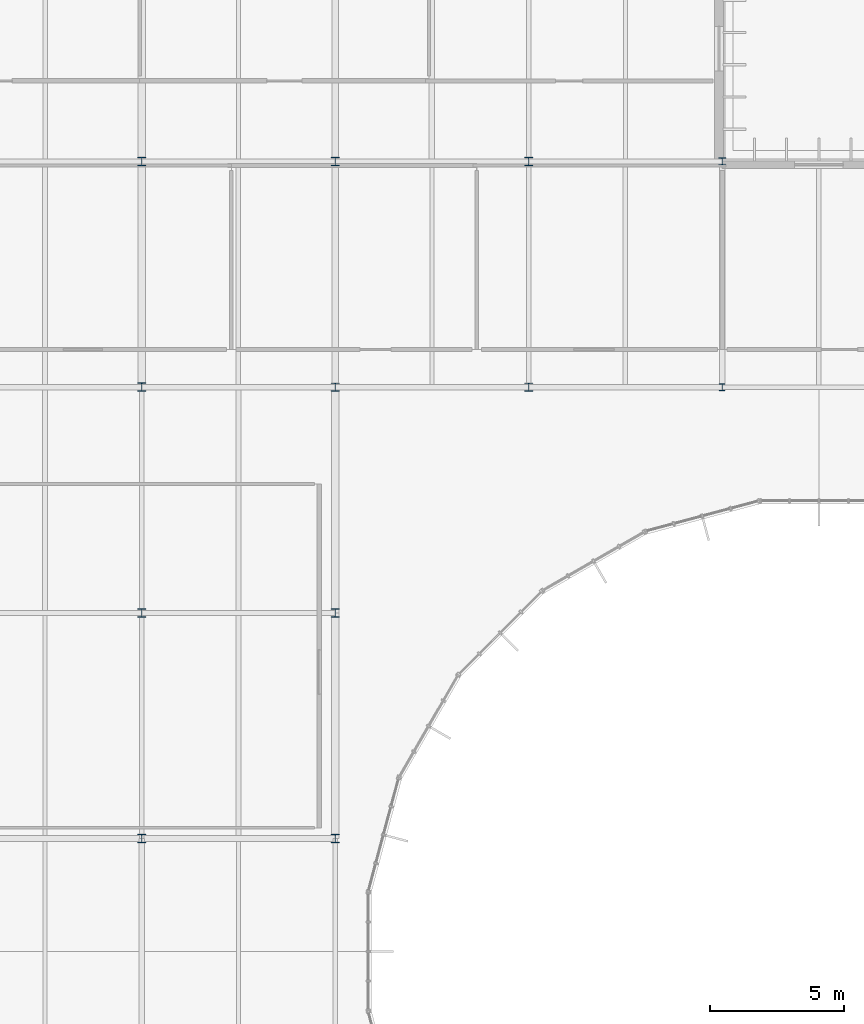
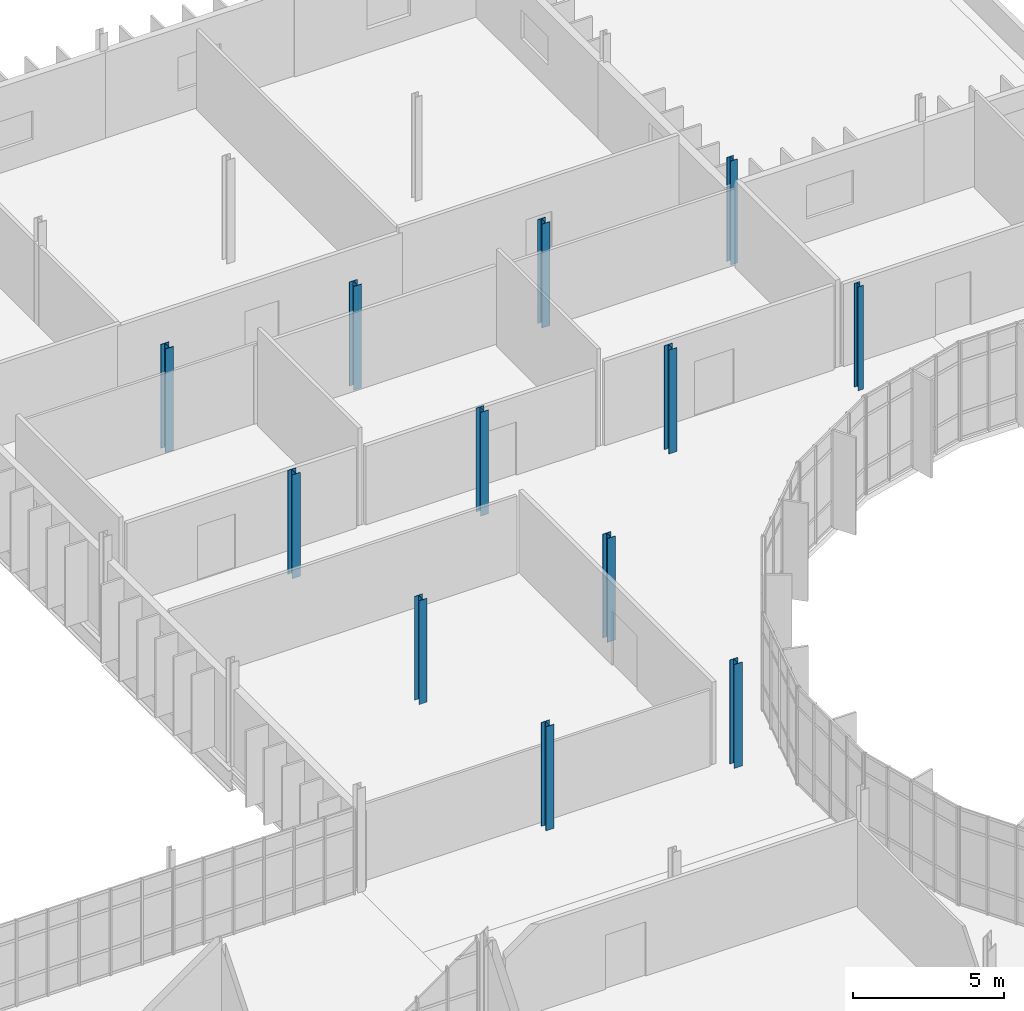
# One storey, part 12 of 99: 12 columns.
"""IFC4 building model written with IfcOpenShell, lengths in metres."""

from ifc_helpers import new_model, si_unit, direction, frame, origin, origin_2d, place, context, subcontext, project, spatial, i_section, extrude, material, material_profile, profile_set, type_object, element, save


model = new_model("IFC4")

# Units and contexts
model_context = context("Model", 3, precision=1e-05, world=origin(), true_north=direction((0.0, 1.0)))
body_context = subcontext(model_context, "Body", "Model", "MODEL_VIEW")
ifc_project = project(units=[si_unit("LENGTHUNIT", "METRE"), si_unit("AREAUNIT", "SQUARE_METRE"), si_unit("VOLUMEUNIT", "CUBIC_METRE"), si_unit("PLANEANGLEUNIT", "RADIAN"), si_unit("MASSUNIT", "GRAM", prefix="KILO")], contexts=[model_context])

# Site, building, storey
site_placement = place(None, origin())
site = spatial("IfcSite", under=ifc_project, at=site_placement, CompositionType="ELEMENT")
building_placement = place(site_placement, origin())
building = spatial("IfcBuilding", under=site, at=building_placement, Name="Qelthora Terrace Specialist Clinic", CompositionType="ELEMENT")
storey_placement = place(building_placement, frame((0.0, 0.0, 9.0)))
storey = spatial("IfcBuildingStorey", under=building, at=storey_placement, Name="L02", CompositionType="ELEMENT", Elevation=9.0)

# Columns
ifc_material = material(Name="Steel S355", Category="steel")
ifc_material_profile_1 = material_profile(ifc_material, i_section(OverallWidth=0.2041015625, OverallDepth=0.257080078125, WebThickness=0.0087890625, FlangeThickness=0.015625, FilletRadius=0.012939453125, at=origin_2d()), Name="W250X67")
ifc_profile_set_1 = profile_set([ifc_material_profile_1], Name="Steel S355")
column_type_1 = type_object("IfcColumnType", Name="COL-W250X67", PredefinedType="COLUMN", material=ifc_profile_set_1)
column_1_placement = place(storey_placement, frame((122.39990234375, 84.0, 0.0), z_axis=(0.0, 0.0, 1.0), x_axis=(1.0, 0.0, 0.0)))
element("IfcColumn", 1, at=column_1_placement, inside=storey, type_object=column_type_1, Name="Column L02-203", PredefinedType="COLUMN", context=body_context, shape_type="SweptSolid", body=[
    extrude(i_section(OverallWidth=0.2041015625, OverallDepth=0.257080078125, WebThickness=0.0087890625, FlangeThickness=0.015625, FilletRadius=0.012939453125, at=origin_2d()), origin(), (0.0, 0.0, 1.0), 4.199951171875),
])
ifc_material_profile_2 = material_profile(ifc_material, i_section(OverallWidth=0.256103515625, OverallDepth=0.260009765625, WebThickness=0.0107421875, FlangeThickness=0.017333984375, FilletRadius=0.012939453125, at=origin_2d()), Name="W250X89")
ifc_profile_set_2 = profile_set([ifc_material_profile_2], Name="Steel S355")
column_type_2 = type_object("IfcColumnType", Name="COL-W250X89", PredefinedType="COLUMN", material=ifc_profile_set_2)
column_2_placement = place(storey_placement, frame((122.39990234375, 92.39990234375, 0.0), z_axis=(0.0, 0.0, 1.0), x_axis=(1.0, 0.0, 0.0)))
element("IfcColumn", 2, at=column_2_placement, inside=storey, type_object=column_type_2, Name="Column L02-204", PredefinedType="COLUMN", context=body_context, shape_type="SweptSolid", body=[
    extrude(i_section(OverallWidth=0.256103515625, OverallDepth=0.260009765625, WebThickness=0.0107421875, FlangeThickness=0.017333984375, FilletRadius=0.012939453125, at=origin_2d()), origin(), (0.0, 0.0, 1.0), 4.199951171875),
])
ifc_material_profile_3 = material_profile(ifc_material, i_section(OverallWidth=0.305908203125, OverallDepth=0.31103515625, WebThickness=0.010986328125, FlangeThickness=0.01708984375, FilletRadius=0.014892578125, at=origin_2d()), Name="W310X107")
ifc_profile_set_3 = profile_set([ifc_material_profile_3], Name="Steel S355")
column_type_3 = type_object("IfcColumnType", Name="COL-W310X107", PredefinedType="COLUMN", material=ifc_profile_set_3)
for number, where, z_axis, x_axis, name in (
    (3, (100.800048828125, 67.199951171875, 0.0), (0.0, 0.0, 1.0), (1.0, 0.0, 0.0), "Column L02-169"),
    (4, (108.0, 75.60009765625, 0.0), (0.0, 0.0, 1.0), (1.0, 0.0, 0.0), "Column L02-184"),
):
    element("IfcColumn", number, at=place(storey_placement, frame(where, z_axis=z_axis, x_axis=x_axis)), inside=storey, type_object=column_type_3, Name=name, PredefinedType="COLUMN", context=body_context, shape_type="SweptSolid", body=[
        extrude(i_section(OverallWidth=0.305908203125, OverallDepth=0.31103515625, WebThickness=0.010986328125, FlangeThickness=0.01708984375, FilletRadius=0.014892578125, at=origin_2d()), origin(), (0.0, 0.0, 1.0), 4.199951171875),
    ])
ifc_material_profile_4 = material_profile(ifc_material, i_section(OverallWidth=0.306884765625, OverallDepth=0.31396484375, WebThickness=0.011962890625, FlangeThickness=0.018798828125, FilletRadius=0.01611328125, at=origin_2d()), Name="W310X118")
ifc_profile_set_4 = profile_set([ifc_material_profile_4], Name="Steel S355")
column_type_4 = type_object("IfcColumnType", Name="COL-W310X118", PredefinedType="COLUMN", material=ifc_profile_set_4)
for number, where, z_axis, x_axis, name in (
    (5, (100.800048828125, 84.0, 0.0), (0.0, 0.0, 1.0), (1.0, 0.0, 0.0), "Column L02-171"),
    (6, (108.0, 67.199951171875, 0.0), (0.0, 0.0, 1.0), (1.0, 0.0, 0.0), "Column L02-183"),
    (7, (108.0, 92.39990234375, 0.0), (0.0, 0.0, 1.0), (1.0, 0.0, 0.0), "Column L02-186"),
    (8, (115.199951171875, 92.39990234375, 0.0), (0.0, 0.0, 1.0), (1.0, 0.0, 0.0), "Column L02-195"),
):
    element("IfcColumn", number, at=place(storey_placement, frame(where, z_axis=z_axis, x_axis=x_axis)), inside=storey, type_object=column_type_4, Name=name, PredefinedType="COLUMN", context=body_context, shape_type="SweptSolid", body=[
        extrude(i_section(OverallWidth=0.306884765625, OverallDepth=0.31396484375, WebThickness=0.011962890625, FlangeThickness=0.018798828125, FilletRadius=0.01611328125, at=origin_2d()), origin(), (0.0, 0.0, 1.0), 4.199951171875),
    ])
ifc_material_profile_5 = material_profile(ifc_material, i_section(OverallWidth=0.30908203125, OverallDepth=0.322998046875, WebThickness=0.013916015625, FlangeThickness=0.02294921875, FilletRadius=0.01611328125, at=origin_2d()), Name="W310X143")
ifc_profile_set_5 = profile_set([ifc_material_profile_5], Name="Steel S355")
column_type_5 = type_object("IfcColumnType", Name="COL-W310X143", PredefinedType="COLUMN", material=ifc_profile_set_5)
column_3_placement = place(storey_placement, frame((100.800048828125, 92.39990234375, 0.0), z_axis=(0.0, 0.0, 1.0), x_axis=(1.0, 0.0, 0.0)))
element("IfcColumn", 9, at=column_3_placement, inside=storey, type_object=column_type_5, Name="Column L02-172", PredefinedType="COLUMN", context=body_context, shape_type="SweptSolid", body=[
    extrude(i_section(OverallWidth=0.30908203125, OverallDepth=0.322998046875, WebThickness=0.013916015625, FlangeThickness=0.02294921875, FilletRadius=0.01611328125, at=origin_2d()), origin(), (0.0, 0.0, 1.0), 4.199951171875),
])
ifc_material_profile_6 = material_profile(ifc_material, i_section(OverallWidth=0.304931640625, OverallDepth=0.30810546875, WebThickness=0.010009765625, FlangeThickness=0.015380859375, FilletRadius=0.014892578125, at=origin_2d()), Name="W310X97")
ifc_profile_set_6 = profile_set([ifc_material_profile_6], Name="Steel S355")
column_type_6 = type_object("IfcColumnType", Name="COL-W310X97", PredefinedType="COLUMN", material=ifc_profile_set_6)
for number, where, z_axis, x_axis, name in (
    (10, (100.800048828125, 75.60009765625, 0.0), (0.0, 0.0, 1.0), (1.0, 0.0, 0.0), "Column L02-170"),
    (11, (108.0, 84.0, 0.0), (0.0, 0.0, 1.0), (1.0, 0.0, 0.0), "Column L02-185"),
    (12, (115.199951171875, 84.0, 0.0), (0.0, 0.0, 1.0), (1.0, 0.0, 0.0), "Column L02-194"),
):
    element("IfcColumn", number, at=place(storey_placement, frame(where, z_axis=z_axis, x_axis=x_axis)), inside=storey, type_object=column_type_6, Name=name, PredefinedType="COLUMN", context=body_context, shape_type="SweptSolid", body=[
        extrude(i_section(OverallWidth=0.304931640625, OverallDepth=0.30810546875, WebThickness=0.010009765625, FlangeThickness=0.015380859375, FilletRadius=0.014892578125, at=origin_2d()), origin(), (0.0, 0.0, 1.0), 4.199951171875),
    ])

save(model, "model.ifc")
